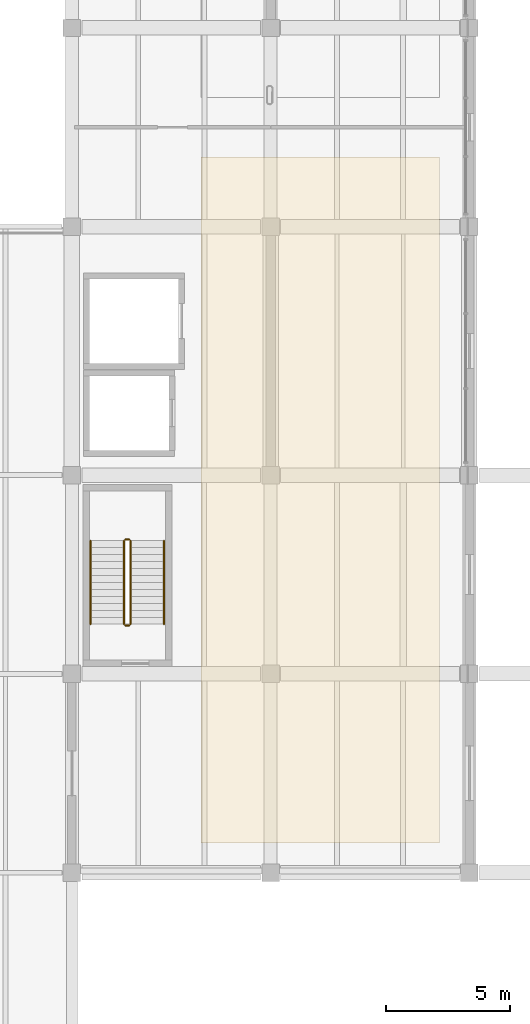
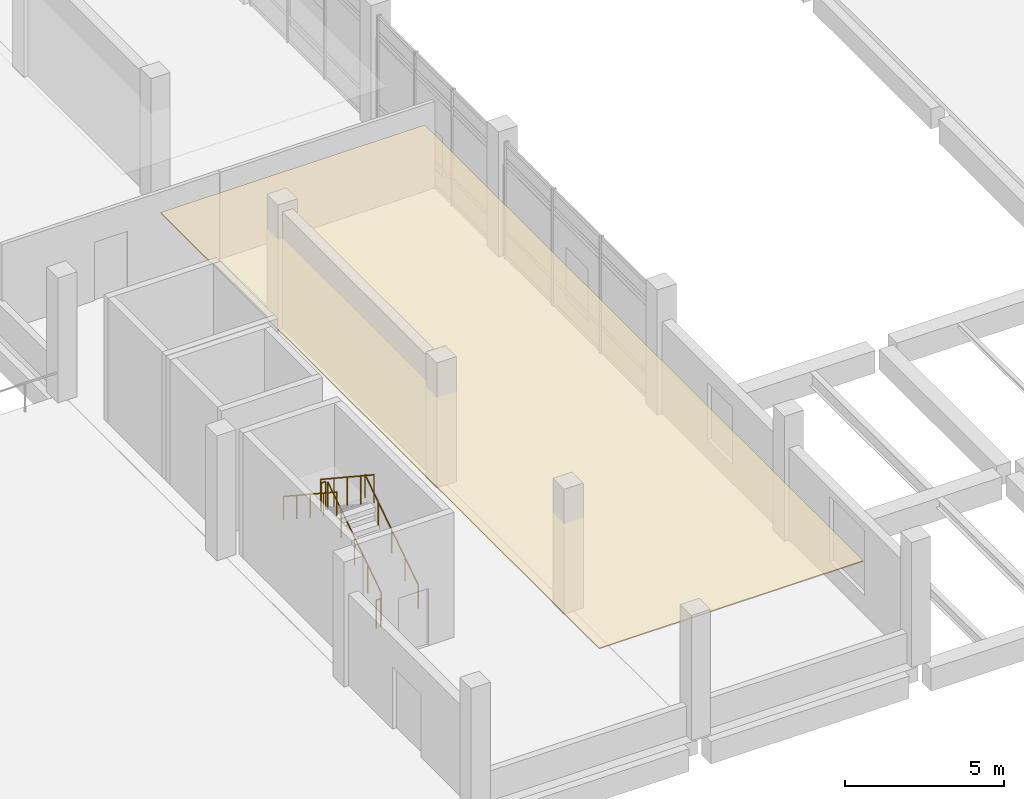
# One storey, part 42 of 52: 6 railings, 1 covering.
"""IFC4 building model written with IfcOpenShell, lengths in metres."""

import ifcopenshell
import ifcopenshell.guid

model = None  # the IFC model being written
_history = None  # IfcOwnerHistory: only IFC2X3 demands one
_inside = {}  # id of a spatial element -> (the spatial element, [elements in it])
_under = {}  # id of a project, library or spatial element -> (it, [spatial elements below it])
_declared = {}  # id of a project -> (the project, [libraries it declares])
_typed = {}  # id of a type object -> (the type object, [elements of that type])
_made_of = {}  # id of a material, layer set ... -> (it, [elements and type objects made of it])


def new_model(schema):
    """Start an empty IFC model of exactly this schema.

    Asked for "IFC4X3", IfcOpenShell would pick the latest addendum, in which some entities
    have other attributes; the version numbers below select the first issue.
    IFC2X3 requires an IfcOwnerHistory on every rooted entity: one is made here for all.
    """
    global model, _history
    if schema == "IFC4X3":
        model = ifcopenshell.file(schema_version=(4, 3, 0, 0))
    else:
        model = ifcopenshell.file(schema=schema)
    _inside.clear()
    _under.clear()
    _declared.clear()
    _typed.clear()
    _made_of.clear()
    _history = None
    if model.schema == "IFC2X3":
        org = make("IfcOrganization", Name="unknown")
        user = make(
            "IfcPersonAndOrganization",
            ThePerson=make("IfcPerson", FamilyName="unknown"),
            TheOrganization=org,
        )
        app = make(
            "IfcApplication",
            ApplicationDeveloper=org,
            Version="unknown",
            ApplicationFullName="unknown",
            ApplicationIdentifier="unknown",
        )
        _history = make(
            "IfcOwnerHistory",
            OwningUser=user,
            OwningApplication=app,
            ChangeAction="ADDED",
            CreationDate=0,
        )
    return model


def make(cls, **values):
    """One entity of the class cls with the attributes given. An attribute that is None is left unset."""
    return model.create_entity(
        cls, **{name: value for name, value in values.items() if value is not None}
    )


def rooted(cls, **values):
    """An entity with a GlobalId (a new one), such as an element, a storey or a relation."""
    return make(cls, GlobalId=ifcopenshell.guid.new(), OwnerHistory=_history, **values)


def si_unit(unit_type, name, prefix=None):
    """IfcSIUnit, for example si_unit("LENGTHUNIT", "METRE", prefix="MILLI")."""
    return make("IfcSIUnit", UnitType=unit_type, Prefix=prefix, Name=name)


def assignment(units):
    """IfcUnitAssignment: the units of a project."""
    return None if units is None else make("IfcUnitAssignment", Units=units)


def point(xyz):
    """IfcCartesianPoint."""
    return None if xyz is None else make("IfcCartesianPoint", Coordinates=xyz)


def direction(xyz):
    """IfcDirection."""
    return None if xyz is None else make("IfcDirection", DirectionRatios=xyz)


def frame(location, z_axis=None, x_axis=None):
    """IfcAxis2Placement3D, a coordinate frame: its origin and axes. An axis left out is left unset."""
    return make(
        "IfcAxis2Placement3D",
        Location=point(location),
        Axis=direction(z_axis),
        RefDirection=direction(x_axis),
    )


def frame_2d(location, x_axis=None):
    """IfcAxis2Placement2D, a coordinate frame in the plane: its origin and x axis."""
    return make(
        "IfcAxis2Placement2D", Location=point(location), RefDirection=direction(x_axis)
    )


def origin():
    """The frame at (0, 0, 0) with its axes left unset."""
    return frame((0.0, 0.0, 0.0))


def origin_2d():
    """The frame at (0, 0) in the plane with its x axis left unset."""
    return frame_2d((0.0, 0.0))


def place(relative_to, where):
    """IfcLocalPlacement: puts the frame where relative to a parent placement (None: the world)."""
    return make(
        "IfcLocalPlacement", PlacementRelTo=relative_to, RelativePlacement=where
    )


def context(
    kind, dimensions, precision=None, world=None, true_north=None, identifier=None
):
    """IfcGeometricRepresentationContext, for example the 3D "Model" context."""
    return make(
        "IfcGeometricRepresentationContext",
        ContextIdentifier=identifier,
        ContextType=kind,
        CoordinateSpaceDimension=dimensions,
        Precision=precision,
        WorldCoordinateSystem=world,
        TrueNorth=true_north,
    )


def subcontext(parent, identifier, kind, view, scale=None):
    """IfcGeometricRepresentationSubContext, for example "Body" below "Model"."""
    return make(
        "IfcGeometricRepresentationSubContext",
        ContextIdentifier=identifier,
        ContextType=kind,
        ParentContext=parent,
        TargetScale=scale,
        TargetView=view,
    )


def project(units=None, contexts=None):
    """IfcProject with its units and contexts."""
    return rooted(
        "IfcProject",
        Name="project",
        RepresentationContexts=contexts,
        UnitsInContext=assignment(units),
    )


def spatial(cls, under=None, at=None, **own):
    """A site, building, storey or space (cls), placed at a placement, below another one or the project."""
    s = rooted(cls, ObjectPlacement=at, **own)
    if under is not None:
        _under.setdefault(under.id(), (under, []))[1].append(s)
    return s


def polyline(points):
    """IfcPolyline through the points."""
    return make("IfcPolyline", Points=[point(p) for p in points])


def profile(cls, at=None, kind="AREA", **sizes):
    """A parametric profile (cls). Its sizes go by their IFC names, for example OverallWidth=200.0."""
    return make(cls, ProfileType=kind, Position=at, **sizes)


def circle(**sizes):
    """IfcCircleProfileDef."""
    return profile("IfcCircleProfileDef", **sizes)


def outline(outer, holes=None, kind="AREA"):
    """IfcArbitraryClosedProfileDef: a profile drawn as a closed curve; with holes, ...WithVoids."""
    if holes is None:
        return make("IfcArbitraryClosedProfileDef", ProfileType=kind, OuterCurve=outer)
    return make(
        "IfcArbitraryProfileDefWithVoids",
        ProfileType=kind,
        OuterCurve=outer,
        InnerCurves=holes,
    )


def extrude(swept, where, along, depth):
    """IfcExtrudedAreaSolid: the profile swept, set in the frame where, extruded along a direction by depth."""
    return make(
        "IfcExtrudedAreaSolid",
        SweptArea=swept,
        Position=where,
        ExtrudedDirection=direction(along),
        Depth=depth,
    )


def shape(context_of_items, identifier, shape_type, items):
    """IfcShapeRepresentation: the items that make up one representation, for example the "Body"."""
    return make(
        "IfcShapeRepresentation",
        ContextOfItems=context_of_items,
        RepresentationIdentifier=identifier,
        RepresentationType=shape_type,
        Items=items,
    )


def material(Name=None, Category=None):
    """IfcMaterial."""
    return make("IfcMaterial", Name=Name, Category=Category)


def layer(
    of_material, thickness, ventilated=None, Name=None, Category=None, Priority=None
):
    """IfcMaterialLayer: one layer of a wall or slab, of a material (None: an air gap)."""
    return make(
        "IfcMaterialLayer",
        Material=of_material,
        LayerThickness=thickness,
        IsVentilated=ventilated,
        Name=Name,
        Category=Category,
        Priority=Priority,
    )


def layer_set(layers, Name=None):
    """IfcMaterialLayerSet."""
    return make("IfcMaterialLayerSet", MaterialLayers=layers, LayerSetName=Name)


def made_of(thing, what):
    """Note that an element or type object is made of a material, layer set ...; save() writes the relation."""
    if what is not None:
        _made_of.setdefault(what.id(), (what, []))[1].append(thing)
    return thing


def type_object(cls, material=None, **own):
    """A type object (cls), such as IfcWallType, which elements share."""
    return made_of(rooted(cls, **own), material)


def element(
    cls,
    number,
    at=None,
    inside=None,
    cuts=None,
    type_object=None,
    material=None,
    context=None,
    identifier="Body",
    shape_type=None,
    held_by="IfcProductDefinitionShape",
    body=None,
    shapes=None,
    **own,
):
    """One element of the class cls, such as IfcWall. Its Tag is "e" and its number.

    at: its placement. inside: the storey or other place that contains it. cuts: it is an
    opening in that element (IfcRelVoidsElement). A single representation is given by context,
    identifier, shape_type and body (its items); several are given by shapes. held_by: the class
    of the entity that holds the representations. save() writes the other relations.
    """
    e = rooted(cls, Tag="e%d" % number, ObjectPlacement=at, **own)
    if body is not None:
        shapes = [shape(context, identifier, shape_type, body)]
    if shapes is not None:
        e.Representation = make(held_by, Representations=shapes)
    if inside is not None:
        _inside.setdefault(inside.id(), (inside, []))[1].append(e)
    if cuts is not None:
        rooted(
            "IfcRelVoidsElement", RelatingBuildingElement=cuts, RelatedOpeningElement=e
        )
    if type_object is not None:
        _typed.setdefault(type_object.id(), (type_object, []))[1].append(e)
    return made_of(e, material)


def aggregate(whole, parts):
    """IfcRelAggregates: a whole, such as a stair, and the parts it consists of."""
    return rooted("IfcRelAggregates", RelatingObject=whole, RelatedObjects=parts)


def save(model, path):
    """Write the relations noted so far, then the file.

    IfcRelAggregates (storeys below a building ...), IfcRelContainedInSpatialStructure (elements
    in a storey), IfcRelDefinesByType, IfcRelAssociatesMaterial and IfcRelDeclares: one each for
    every whole, place, type object, material and project.
    """
    for whole, parts in _under.values():
        aggregate(whole, parts)
    for where, things in _inside.values():
        rooted(
            "IfcRelContainedInSpatialStructure",
            RelatedElements=things,
            RelatingStructure=where,
        )
    for kind, things in _typed.values():
        rooted("IfcRelDefinesByType", RelatedObjects=things, RelatingType=kind)
    for what, things in _made_of.values():
        rooted("IfcRelAssociatesMaterial", RelatedObjects=things, RelatingMaterial=what)
    for by, libraries in _declared.values():
        rooted("IfcRelDeclares", RelatingContext=by, RelatedDefinitions=libraries)
    model.write(path)


model = new_model("IFC4")

# Units and contexts
model_context = context("Model", 3, precision=1e-05, world=origin(), true_north=direction((0.0, 1.0)))
body_context = subcontext(model_context, "Body", "Model", "MODEL_VIEW")
ifc_project = project(units=[si_unit("LENGTHUNIT", "METRE"), si_unit("AREAUNIT", "SQUARE_METRE"), si_unit("VOLUMEUNIT", "CUBIC_METRE"), si_unit("PLANEANGLEUNIT", "RADIAN"), si_unit("MASSUNIT", "GRAM", prefix="KILO")], contexts=[model_context])

# Site, building, storey
site_placement = place(None, origin())
site = spatial("IfcSite", under=ifc_project, at=site_placement, CompositionType="ELEMENT")
building_placement = place(site_placement, origin())
building = spatial("IfcBuilding", under=site, at=building_placement, Name="Pecanmere Concourse Central Library", CompositionType="ELEMENT")
storey_placement = place(building_placement, frame((0.0, 0.0, 10.5)))
storey = spatial("IfcBuildingStorey", under=building, at=storey_placement, Name="L03", CompositionType="ELEMENT", Elevation=10.5)

# Covering
ifc_material_1 = material(Name="Perforated mineral acoustic ceiling tile")
ifc_layer = layer(ifc_material_1, 0.0400390625, Name="COV_CEIL_ACOUSTIC")
ifc_layer_set = layer_set([ifc_layer], Name="Perforated mineral acoustic ceiling tile")
covering_type = type_object("IfcCoveringType", Name="COV_CEIL_ACOUSTIC", PredefinedType="CEILING", material=ifc_layer_set)
covering_placement = place(storey_placement, frame((0.0, 0.0, 3.429931640625)))
element("IfcCovering", 1, at=covering_placement, inside=storey, type_object=covering_type, Name="Acoustic Coffered Ceiling L03-011", PredefinedType="CEILING", context=body_context, shape_type="SweptSolid", body=[
    extrude(outline(polyline([(117.199951171875, 49.199951171875), (126.800048828125, 49.199951171875), (126.800048828125, 76.800048828125), (117.199951171875, 76.800048828125), (117.199951171875, 49.199951171875)])), origin(), (0.0, 0.0, 1.0), 0.0400390625),
])

# Railings
ifc_material_2 = material(Name="Painted architectural steel ASTM A36", Category="steel")
railing_type_1 = type_object("IfcRailingType", Name="RAIL_STAIR_GUARD", PredefinedType="GUARDRAIL", material=ifc_material_2)
railing_1_placement = place(storey_placement, frame((114.360107421875, 58.0, 0.1845703125)))
element("IfcRailing", 2, at=railing_1_placement, inside=storey, type_object=railing_type_1, Name="L03 ST-05 Guard 1", PredefinedType="GUARDRAIL", context=body_context, shape_type="SweptSolid", body=[
    extrude(circle(Radius=0.02392578125, at=origin_2d()), frame((0.0, 0.0, 1.076171875), z_axis=(0.0, 0.834876476806, 0.550437342915), x_axis=(-1.0, 0.0, 0.0)), (0.0, 0.0, 1.0), 4.024658203125),
    extrude(circle(Radius=0.02099609375, at=origin_2d()), origin(), (0.0, 0.0, 1.0), 1.052001953125),
    extrude(circle(Radius=0.02099609375, at=origin_2d()), frame((0.0, 0.840087890625, 0.5537109375)), (0.0, 0.0, 1.0), 1.052001953125),
    extrude(circle(Radius=0.02099609375, at=origin_2d()), frame((0.0, 1.68017578125, 1.107666015625)), (0.0, 0.0, 1.0), 1.052001953125),
    extrude(circle(Radius=0.02099609375, at=origin_2d()), frame((0.0, 2.52001953125, 1.66162109375)), (0.0, 0.0, 1.0), 1.052001953125),
    extrude(circle(Radius=0.02099609375, at=origin_2d()), frame((0.0, 3.360107421875, 2.21533203125)), (0.0, 0.0, 1.0), 1.052001953125),
])
railing_2_placement = place(storey_placement, frame((114.31005859375, 61.409912109375, 2.39990234375)))
element("IfcRailing", 3, at=railing_2_placement, inside=storey, type_object=railing_type_1, Name="L03 ST-05 Guard 2", PredefinedType="GUARDRAIL", context=body_context, shape_type="SweptSolid", body=[
    extrude(circle(Radius=0.02392578125, at=origin_2d()), frame((0.0, 0.0, 1.076171875), z_axis=(-1.0, 0.0, 0.0), x_axis=(0.0, -1.0, 0.0)), (0.0, 0.0, 1.0), 0.16015625),
    extrude(circle(Radius=0.02099609375, at=origin_2d()), origin(), (0.0, 0.0, 1.0), 1.052001953125),
    extrude(circle(Radius=0.02099609375, at=origin_2d()), frame((-0.16015625, 0.0, 0.0)), (0.0, 0.0, 1.0), 1.052001953125),
])
railing_3_placement = place(storey_placement, frame((114.10009765625, 61.360107421875, 2.584716796875)))
element("IfcRailing", 4, at=railing_3_placement, inside=storey, type_object=railing_type_1, Name="L03 ST-05 Guard 3", PredefinedType="GUARDRAIL", context=body_context, shape_type="SweptSolid", body=[
    extrude(circle(Radius=0.02392578125, at=origin_2d()), frame((0.0, 0.0, 1.076171875), z_axis=(0.0, -0.834876476806, 0.550437342915), x_axis=(1.0, 0.0, 0.0)), (0.0, 0.0, 1.0), 4.024658203125),
    extrude(circle(Radius=0.02099609375, at=origin_2d()), origin(), (0.0, 0.0, 1.0), 1.052001953125),
    extrude(circle(Radius=0.02099609375, at=origin_2d()), frame((0.0, -0.840087890625, 0.5537109375)), (0.0, 0.0, 1.0), 1.052001953125),
    extrude(circle(Radius=0.02099609375, at=origin_2d()), frame((0.0, -1.68017578125, 1.107666015625)), (0.0, 0.0, 1.0), 1.052001953125),
    extrude(circle(Radius=0.02099609375, at=origin_2d()), frame((0.0, -2.52001953125, 1.66162109375)), (0.0, 0.0, 1.0), 1.052001953125),
    extrude(circle(Radius=0.02099609375, at=origin_2d()), frame((0.0, -3.360107421875, 2.21533203125)), (0.0, 0.0, 1.0), 1.052001953125),
])
railing_4_placement = place(storey_placement, frame((114.31005859375, 57.949951171875, 0.0)))
element("IfcRailing", 5, at=railing_4_placement, inside=storey, type_object=railing_type_1, Name="L03 ST-05 Guard 4", PredefinedType="GUARDRAIL", context=body_context, shape_type="SweptSolid", body=[
    extrude(circle(Radius=0.02392578125, at=origin_2d()), frame((0.0, 0.0, 1.076171875), z_axis=(-1.0, 0.0, 0.0), x_axis=(0.0, -1.0, 0.0)), (0.0, 0.0, 1.0), 0.16015625),
    extrude(circle(Radius=0.02099609375, at=origin_2d()), origin(), (0.0, 0.0, 1.0), 1.052001953125),
    extrude(circle(Radius=0.02099609375, at=origin_2d()), frame((-0.16015625, 0.0, 0.0)), (0.0, 0.0, 1.0), 1.052001953125),
])
ifc_material_3 = material(Name="Brushed stainless steel Grade 316", Category="steel")
railing_type_2 = type_object("IfcRailingType", Name="RAIL_STAIR_HR", PredefinedType="HANDRAIL", material=ifc_material_3)
railing_5_placement = place(storey_placement, frame((115.7099609375, 58.0, 0.1845703125)))
element("IfcRailing", 6, at=railing_5_placement, inside=storey, type_object=railing_type_2, Name="L03 ST-05 Handrail 1", PredefinedType="HANDRAIL", context=body_context, shape_type="SweptSolid", body=[
    extrude(circle(Radius=0.02392578125, at=origin_2d()), frame((0.0, 0.0, 0.89111328125), z_axis=(0.0, 0.834876476806, 0.550437342915), x_axis=(-1.0, 0.0, 0.0)), (0.0, 0.0, 1.0), 4.024658203125),
    extrude(circle(Radius=0.02099609375, at=origin_2d()), origin(), (0.0, 0.0, 1.0), 0.866943359375),
    extrude(circle(Radius=0.02099609375, at=origin_2d()), frame((0.0, 0.840087890625, 0.5537109375)), (0.0, 0.0, 1.0), 0.866943359375),
    extrude(circle(Radius=0.02099609375, at=origin_2d()), frame((0.0, 1.68017578125, 1.107666015625)), (0.0, 0.0, 1.0), 0.866943359375),
    extrude(circle(Radius=0.02099609375, at=origin_2d()), frame((0.0, 2.52001953125, 1.66162109375)), (0.0, 0.0, 1.0), 0.866943359375),
    extrude(circle(Radius=0.02099609375, at=origin_2d()), frame((0.0, 3.360107421875, 2.21533203125)), (0.0, 0.0, 1.0), 0.866943359375),
])
railing_6_placement = place(storey_placement, frame((112.75, 61.360107421875, 2.584716796875)))
element("IfcRailing", 7, at=railing_6_placement, inside=storey, type_object=railing_type_2, Name="L03 ST-05 Handrail 2", PredefinedType="HANDRAIL", context=body_context, shape_type="SweptSolid", body=[
    extrude(circle(Radius=0.02392578125, at=origin_2d()), frame((0.0, 0.0, 0.89111328125), z_axis=(0.0, -0.834876476806, 0.550437342915), x_axis=(1.0, 0.0, 0.0)), (0.0, 0.0, 1.0), 4.024658203125),
    extrude(circle(Radius=0.02099609375, at=origin_2d()), origin(), (0.0, 0.0, 1.0), 0.866943359375),
    extrude(circle(Radius=0.02099609375, at=origin_2d()), frame((0.0, -0.840087890625, 0.5537109375)), (0.0, 0.0, 1.0), 0.866943359375),
    extrude(circle(Radius=0.02099609375, at=origin_2d()), frame((0.0, -1.68017578125, 1.107666015625)), (0.0, 0.0, 1.0), 0.866943359375),
    extrude(circle(Radius=0.02099609375, at=origin_2d()), frame((0.0, -2.52001953125, 1.66162109375)), (0.0, 0.0, 1.0), 0.866943359375),
    extrude(circle(Radius=0.02099609375, at=origin_2d()), frame((0.0, -3.360107421875, 2.21533203125)), (0.0, 0.0, 1.0), 0.866943359375),
])

save(model, "model.ifc")
